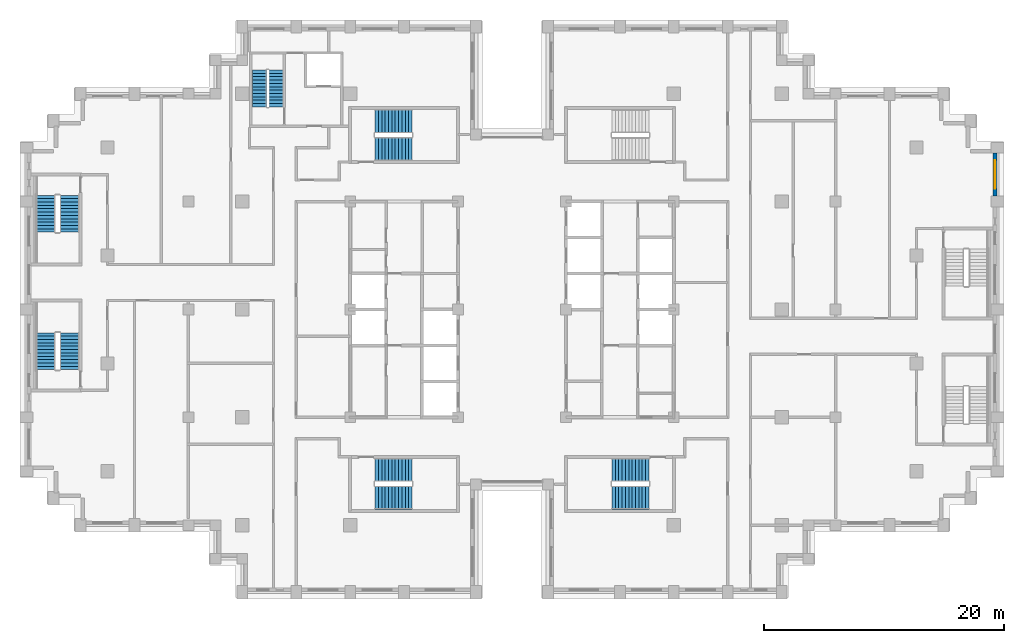
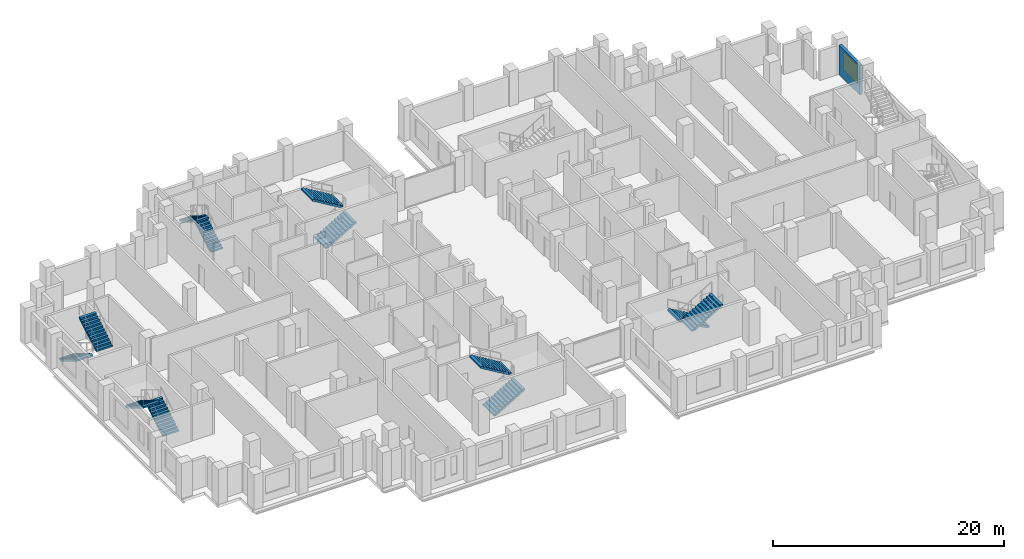
# One storey, part 13 of 16: 12 stair flights, 1 wall, 1 window, 1 opening, 6 elements without a shape of their own.
"""IFC4 building model written with IfcOpenShell, lengths in metres."""

from ifc_helpers import new_model, si_unit, direction, frame, frame_2d, origin, place, context, subcontext, project, spatial, polyline, rectangle, outline, extrude, material, layer, layer_set, type_object, element, fill, aggregate, save


model = new_model("IFC4")

# Units and contexts
model_context = context("Model", 3, precision=1e-05, world=origin(), true_north=direction((0.0, 1.0)))
body_context = subcontext(model_context, "Body", "Model", "MODEL_VIEW")
ifc_project = project(units=[si_unit("LENGTHUNIT", "METRE"), si_unit("AREAUNIT", "SQUARE_METRE"), si_unit("VOLUMEUNIT", "CUBIC_METRE"), si_unit("PLANEANGLEUNIT", "RADIAN"), si_unit("MASSUNIT", "GRAM", prefix="KILO")], contexts=[model_context])

# Site, building, storey
site_placement = place(None, origin())
site = spatial("IfcSite", under=ifc_project, at=site_placement, CompositionType="ELEMENT")
building_placement = place(site_placement, origin())
building = spatial("IfcBuilding", under=site, at=building_placement, Name="Corbelhall Arena Tower", CompositionType="ELEMENT")
storey_placement = place(building_placement, frame((0.0, 0.0, 158.0)))
storey = spatial("IfcBuildingStorey", under=building, at=storey_placement, Name="L31", CompositionType="ELEMENT", Elevation=158.0)

# Wall, opening, window
ifc_material_1 = material(Name="Precast concrete C40/50 with granite facing", Category="masonry")
ifc_layer = layer(ifc_material_1, 0.300048828125)
ifc_layer_set = layer_set([ifc_layer], Name="EV-IW1 Infill panel 300")
wall_type = type_object("IfcWallType", Name="EV-IW1 Infill panel 300", PredefinedType="SOLIDWALL", material=ifc_layer_set)
wall_placement = place(storey_placement, frame((40.300048828125, 9.449951171875, 0.0), z_axis=(0.0, 0.0, 1.0), x_axis=(0.0, 1.0, 0.0)))
wall = element("IfcWall", 1, at=wall_placement, inside=storey, type_object=wall_type, Name="Infill panel IW1", PredefinedType="SOLIDWALL", context=body_context, shape_type="SweptSolid", body=[
    extrude(rectangle(XDim=3.60009765625, YDim=0.300048828125, at=frame_2d((1.800048828125, 0.0))), origin(), (0.0, 0.0, 1.0), 3.10009765625),
])
opening_placement = place(wall_placement, frame((0.60009765625, 0.0, 0.800048828125)))
opening = element("IfcOpeningElement", 2, at=opening_placement, cuts=wall, Name="Opening WN1", PredefinedType="OPENING", context=body_context, shape_type="SweptSolid", body=[
    extrude(rectangle(XDim=2.39990234375, YDim=1.949951171875, at=frame_2d((1.199951171875, 0.97509765625))), frame((0.0, 0.14990234375, 0.0), z_axis=(0.0, -1.0, 0.0), x_axis=(1.0, 0.0, 0.0)), (0.0, 0.0, 1.0), 0.300048828125),
])
ifc_material_2 = material(Name="Aluminium black anodised", Category="aluminium")
window_type = type_object("IfcWindowType", Name="EV-WN1 Office window", PartitioningType="SINGLE_PANEL", PredefinedType="WINDOW", material=ifc_material_2)
window_placement = place(opening_placement, origin())
window = element("IfcWindow", 3, at=window_placement, inside=storey, type_object=window_type, Name="Window WN1", OverallHeight=1.949951171875, OverallWidth=2.39990234375, PartitioningType="SINGLE_PANEL", PredefinedType="WINDOW", context=body_context, shape_type="SweptSolid", body=[
    extrude(rectangle(XDim=2.39990234375, YDim=1.949951171875, at=frame_2d((1.199951171875, 0.97509765625))), frame((0.0, 0.030029296875, 0.0), z_axis=(0.0, -1.0, 0.0), x_axis=(1.0, 0.0, 0.0)), (0.0, 0.0, 1.0), 0.06005859375),
])
fill(opening, window)

# Stair, stair flights
ifc_material_3 = material(Name="Concrete C40/50", Category="concrete")
stair_type = type_object("IfcStairType", Name="IN-ST-TOWER", PredefinedType="HALF_TURN_STAIR", material=ifc_material_3)
stair_1_placement = place(storey_placement, origin())
stair_1 = element("IfcStair", 4, at=stair_1_placement, inside=storey, type_object=stair_type, Name="L31 Exit stair ST1", PredefinedType="HALF_TURN_STAIR")
stair_flight_type = type_object("IfcStairFlightType", Name="IN-SFL-RC", PredefinedType="STRAIGHT", material=ifc_material_3)
stair_flight_1_placement = place(storey_placement, frame((-11.425048828125, 13.39990234375, 0.0), z_axis=(0.0, 0.0, 1.0), x_axis=(1.0, 0.0, 0.0)))
stair_flight_1 = element("IfcStairFlight", 5, at=stair_flight_1_placement, type_object=stair_flight_type, Name="ST1 flight 1", NumberOfRisers=12, NumberOfTreads=11, PredefinedType="STRAIGHT", RiserHeight=0.166666667, TreadLength=0.28, context=body_context, shape_type="SweptSolid", body=[
    extrude(outline(polyline([(0.0, 0.0), (0.0, 0.166748046875), (0.280029296875, 0.166748046875), (0.280029296875, 0.333251953125), (0.56005859375, 0.333251953125), (0.56005859375, 0.5), (0.840087890625, 0.5), (0.840087890625, 0.666748046875), (1.1201171875, 0.666748046875), (1.1201171875, 0.833251953125), (1.39990234375, 0.833251953125), (1.39990234375, 1.0), (1.679931640625, 1.0), (1.679931640625, 1.166748046875), (1.9599609375, 1.166748046875), (1.9599609375, 1.333251953125), (2.239990234375, 1.333251953125), (2.239990234375, 1.5), (2.52001953125, 1.5), (2.52001953125, 1.666748046875), (2.800048828125, 1.666748046875), (2.800048828125, 1.833251953125), (3.080078125, 1.833251953125), (3.080078125, 2.0), (3.080078125, 1.658935546875), (0.29296875, 0.0), (0.0, 0.0)])), frame((0.0, 0.97509765625, 0.0), z_axis=(0.0, -1.0, 0.0), x_axis=(1.0, 0.0, 0.0)), (0.0, 0.0, 1.0), 0.449951171875),
    extrude(outline(polyline([(0.0, 0.0), (0.0, 0.166748046875), (0.280029296875, 0.166748046875), (0.280029296875, 0.333251953125), (0.56005859375, 0.333251953125), (0.56005859375, 0.5), (0.840087890625, 0.5), (0.840087890625, 0.666748046875), (1.1201171875, 0.666748046875), (1.1201171875, 0.833251953125), (1.39990234375, 0.833251953125), (1.39990234375, 1.0), (1.679931640625, 1.0), (1.679931640625, 1.166748046875), (1.9599609375, 1.166748046875), (1.9599609375, 1.333251953125), (2.239990234375, 1.333251953125), (2.239990234375, 1.5), (2.52001953125, 1.5), (2.52001953125, 1.666748046875), (2.800048828125, 1.666748046875), (2.800048828125, 1.833251953125), (3.080078125, 1.833251953125), (3.080078125, 2.0), (3.080078125, 1.658935546875), (0.29296875, 0.0), (0.0, 0.0)])), frame((0.0, 0.52099609375, 0.0), z_axis=(0.0, -1.0, 0.0), x_axis=(1.0, 0.0, 0.0)), (0.0, 0.0, 1.0), 1.0419921875),
    extrude(outline(polyline([(0.0, 0.0), (0.0, 0.166748046875), (0.280029296875, 0.166748046875), (0.280029296875, 0.333251953125), (0.56005859375, 0.333251953125), (0.56005859375, 0.5), (0.840087890625, 0.5), (0.840087890625, 0.666748046875), (1.1201171875, 0.666748046875), (1.1201171875, 0.833251953125), (1.39990234375, 0.833251953125), (1.39990234375, 1.0), (1.679931640625, 1.0), (1.679931640625, 1.166748046875), (1.9599609375, 1.166748046875), (1.9599609375, 1.333251953125), (2.239990234375, 1.333251953125), (2.239990234375, 1.5), (2.52001953125, 1.5), (2.52001953125, 1.666748046875), (2.800048828125, 1.666748046875), (2.800048828125, 1.833251953125), (3.080078125, 1.833251953125), (3.080078125, 2.0), (3.080078125, 1.658935546875), (0.29296875, 0.0), (0.0, 0.0)])), frame((0.0, -0.52490234375, 0.0), z_axis=(0.0, -1.0, 0.0), x_axis=(1.0, 0.0, 0.0)), (0.0, 0.0, 1.0), 0.449951171875),
])
stair_flight_2_placement = place(storey_placement, frame((-8.344970703125, 15.699951171875, 2.0), z_axis=(0.0, 0.0, 1.0), x_axis=(-1.0, 0.0, 0.0)))
stair_flight_2 = element("IfcStairFlight", 6, at=stair_flight_2_placement, type_object=stair_flight_type, Name="ST1 flight 2", NumberOfRisers=12, NumberOfTreads=11, PredefinedType="STRAIGHT", RiserHeight=0.166666667, TreadLength=0.28, context=body_context, shape_type="SweptSolid", body=[
    extrude(outline(polyline([(0.0, 0.0), (0.0, 0.166748046875), (0.280029296875, 0.166748046875), (0.280029296875, 0.333251953125), (0.56005859375, 0.333251953125), (0.56005859375, 0.5), (0.840087890625, 0.5), (0.840087890625, 0.666748046875), (1.1201171875, 0.666748046875), (1.1201171875, 0.833251953125), (1.39990234375, 0.833251953125), (1.39990234375, 1.0), (1.679931640625, 1.0), (1.679931640625, 1.166748046875), (1.9599609375, 1.166748046875), (1.9599609375, 1.333251953125), (2.239990234375, 1.333251953125), (2.239990234375, 1.5), (2.52001953125, 1.5), (2.52001953125, 1.666748046875), (2.800048828125, 1.666748046875), (2.800048828125, 1.833251953125), (3.080078125, 1.833251953125), (3.080078125, 2.0), (3.080078125, 1.658935546875), (0.29296875, 0.0), (0.0, 0.0)])), frame((0.0, 0.97509765625, 0.0), z_axis=(0.0, -1.0, 0.0), x_axis=(1.0, 0.0, 0.0)), (0.0, 0.0, 1.0), 0.449951171875),
    extrude(outline(polyline([(0.0, 0.0), (0.0, 0.166748046875), (0.280029296875, 0.166748046875), (0.280029296875, 0.333251953125), (0.56005859375, 0.333251953125), (0.56005859375, 0.5), (0.840087890625, 0.5), (0.840087890625, 0.666748046875), (1.1201171875, 0.666748046875), (1.1201171875, 0.833251953125), (1.39990234375, 0.833251953125), (1.39990234375, 1.0), (1.679931640625, 1.0), (1.679931640625, 1.166748046875), (1.9599609375, 1.166748046875), (1.9599609375, 1.333251953125), (2.239990234375, 1.333251953125), (2.239990234375, 1.5), (2.52001953125, 1.5), (2.52001953125, 1.666748046875), (2.800048828125, 1.666748046875), (2.800048828125, 1.833251953125), (3.080078125, 1.833251953125), (3.080078125, 2.0), (3.080078125, 1.658935546875), (0.29296875, 0.0), (0.0, 0.0)])), frame((0.0, 0.52099609375, 0.0), z_axis=(0.0, -1.0, 0.0), x_axis=(1.0, 0.0, 0.0)), (0.0, 0.0, 1.0), 1.0419921875),
    extrude(outline(polyline([(0.0, 0.0), (0.0, 0.166748046875), (0.280029296875, 0.166748046875), (0.280029296875, 0.333251953125), (0.56005859375, 0.333251953125), (0.56005859375, 0.5), (0.840087890625, 0.5), (0.840087890625, 0.666748046875), (1.1201171875, 0.666748046875), (1.1201171875, 0.833251953125), (1.39990234375, 0.833251953125), (1.39990234375, 1.0), (1.679931640625, 1.0), (1.679931640625, 1.166748046875), (1.9599609375, 1.166748046875), (1.9599609375, 1.333251953125), (2.239990234375, 1.333251953125), (2.239990234375, 1.5), (2.52001953125, 1.5), (2.52001953125, 1.666748046875), (2.800048828125, 1.666748046875), (2.800048828125, 1.833251953125), (3.080078125, 1.833251953125), (3.080078125, 2.0), (3.080078125, 1.658935546875), (0.29296875, 0.0), (0.0, 0.0)])), frame((0.0, -0.52490234375, 0.0), z_axis=(0.0, -1.0, 0.0), x_axis=(1.0, 0.0, 0.0)), (0.0, 0.0, 1.0), 0.449951171875),
])
aggregate(stair_1, [stair_flight_1, stair_flight_2])

stair_2_placement = place(storey_placement, origin())
stair_2 = element("IfcStair", 7, at=stair_2_placement, inside=storey, type_object=stair_type, Name="L31 Exit stair ST2", PredefinedType="HALF_TURN_STAIR")
stair_flight_3_placement = place(storey_placement, frame((-11.425048828125, -15.699951171875, 0.0), z_axis=(0.0, 0.0, 1.0), x_axis=(1.0, 0.0, 0.0)))
stair_flight_3 = element("IfcStairFlight", 8, at=stair_flight_3_placement, type_object=stair_flight_type, Name="ST2 flight 1", NumberOfRisers=12, NumberOfTreads=11, PredefinedType="STRAIGHT", RiserHeight=0.166666667, TreadLength=0.28, context=body_context, shape_type="SweptSolid", body=[
    extrude(outline(polyline([(0.0, 0.0), (0.0, 0.166748046875), (0.280029296875, 0.166748046875), (0.280029296875, 0.333251953125), (0.56005859375, 0.333251953125), (0.56005859375, 0.5), (0.840087890625, 0.5), (0.840087890625, 0.666748046875), (1.1201171875, 0.666748046875), (1.1201171875, 0.833251953125), (1.39990234375, 0.833251953125), (1.39990234375, 1.0), (1.679931640625, 1.0), (1.679931640625, 1.166748046875), (1.9599609375, 1.166748046875), (1.9599609375, 1.333251953125), (2.239990234375, 1.333251953125), (2.239990234375, 1.5), (2.52001953125, 1.5), (2.52001953125, 1.666748046875), (2.800048828125, 1.666748046875), (2.800048828125, 1.833251953125), (3.080078125, 1.833251953125), (3.080078125, 2.0), (3.080078125, 1.658935546875), (0.29296875, 0.0), (0.0, 0.0)])), frame((0.0, 0.97509765625, 0.0), z_axis=(0.0, -1.0, 0.0), x_axis=(1.0, 0.0, 0.0)), (0.0, 0.0, 1.0), 0.449951171875),
    extrude(outline(polyline([(0.0, 0.0), (0.0, 0.166748046875), (0.280029296875, 0.166748046875), (0.280029296875, 0.333251953125), (0.56005859375, 0.333251953125), (0.56005859375, 0.5), (0.840087890625, 0.5), (0.840087890625, 0.666748046875), (1.1201171875, 0.666748046875), (1.1201171875, 0.833251953125), (1.39990234375, 0.833251953125), (1.39990234375, 1.0), (1.679931640625, 1.0), (1.679931640625, 1.166748046875), (1.9599609375, 1.166748046875), (1.9599609375, 1.333251953125), (2.239990234375, 1.333251953125), (2.239990234375, 1.5), (2.52001953125, 1.5), (2.52001953125, 1.666748046875), (2.800048828125, 1.666748046875), (2.800048828125, 1.833251953125), (3.080078125, 1.833251953125), (3.080078125, 2.0), (3.080078125, 1.658935546875), (0.29296875, 0.0), (0.0, 0.0)])), frame((0.0, 0.52099609375, 0.0), z_axis=(0.0, -1.0, 0.0), x_axis=(1.0, 0.0, 0.0)), (0.0, 0.0, 1.0), 1.0419921875),
    extrude(outline(polyline([(0.0, 0.0), (0.0, 0.166748046875), (0.280029296875, 0.166748046875), (0.280029296875, 0.333251953125), (0.56005859375, 0.333251953125), (0.56005859375, 0.5), (0.840087890625, 0.5), (0.840087890625, 0.666748046875), (1.1201171875, 0.666748046875), (1.1201171875, 0.833251953125), (1.39990234375, 0.833251953125), (1.39990234375, 1.0), (1.679931640625, 1.0), (1.679931640625, 1.166748046875), (1.9599609375, 1.166748046875), (1.9599609375, 1.333251953125), (2.239990234375, 1.333251953125), (2.239990234375, 1.5), (2.52001953125, 1.5), (2.52001953125, 1.666748046875), (2.800048828125, 1.666748046875), (2.800048828125, 1.833251953125), (3.080078125, 1.833251953125), (3.080078125, 2.0), (3.080078125, 1.658935546875), (0.29296875, 0.0), (0.0, 0.0)])), frame((0.0, -0.52490234375, 0.0), z_axis=(0.0, -1.0, 0.0), x_axis=(1.0, 0.0, 0.0)), (0.0, 0.0, 1.0), 0.449951171875),
])
stair_flight_4_placement = place(storey_placement, frame((-8.344970703125, -13.39990234375, 2.0), z_axis=(0.0, 0.0, 1.0), x_axis=(-1.0, 0.0, 0.0)))
stair_flight_4 = element("IfcStairFlight", 9, at=stair_flight_4_placement, type_object=stair_flight_type, Name="ST2 flight 2", NumberOfRisers=12, NumberOfTreads=11, PredefinedType="STRAIGHT", RiserHeight=0.166666667, TreadLength=0.28, context=body_context, shape_type="SweptSolid", body=[
    extrude(outline(polyline([(0.0, 0.0), (0.0, 0.166748046875), (0.280029296875, 0.166748046875), (0.280029296875, 0.333251953125), (0.56005859375, 0.333251953125), (0.56005859375, 0.5), (0.840087890625, 0.5), (0.840087890625, 0.666748046875), (1.1201171875, 0.666748046875), (1.1201171875, 0.833251953125), (1.39990234375, 0.833251953125), (1.39990234375, 1.0), (1.679931640625, 1.0), (1.679931640625, 1.166748046875), (1.9599609375, 1.166748046875), (1.9599609375, 1.333251953125), (2.239990234375, 1.333251953125), (2.239990234375, 1.5), (2.52001953125, 1.5), (2.52001953125, 1.666748046875), (2.800048828125, 1.666748046875), (2.800048828125, 1.833251953125), (3.080078125, 1.833251953125), (3.080078125, 2.0), (3.080078125, 1.658935546875), (0.29296875, 0.0), (0.0, 0.0)])), frame((0.0, 0.97509765625, 0.0), z_axis=(0.0, -1.0, 0.0), x_axis=(1.0, 0.0, 0.0)), (0.0, 0.0, 1.0), 0.449951171875),
    extrude(outline(polyline([(0.0, 0.0), (0.0, 0.166748046875), (0.280029296875, 0.166748046875), (0.280029296875, 0.333251953125), (0.56005859375, 0.333251953125), (0.56005859375, 0.5), (0.840087890625, 0.5), (0.840087890625, 0.666748046875), (1.1201171875, 0.666748046875), (1.1201171875, 0.833251953125), (1.39990234375, 0.833251953125), (1.39990234375, 1.0), (1.679931640625, 1.0), (1.679931640625, 1.166748046875), (1.9599609375, 1.166748046875), (1.9599609375, 1.333251953125), (2.239990234375, 1.333251953125), (2.239990234375, 1.5), (2.52001953125, 1.5), (2.52001953125, 1.666748046875), (2.800048828125, 1.666748046875), (2.800048828125, 1.833251953125), (3.080078125, 1.833251953125), (3.080078125, 2.0), (3.080078125, 1.658935546875), (0.29296875, 0.0), (0.0, 0.0)])), frame((0.0, 0.52099609375, 0.0), z_axis=(0.0, -1.0, 0.0), x_axis=(1.0, 0.0, 0.0)), (0.0, 0.0, 1.0), 1.0419921875),
    extrude(outline(polyline([(0.0, 0.0), (0.0, 0.166748046875), (0.280029296875, 0.166748046875), (0.280029296875, 0.333251953125), (0.56005859375, 0.333251953125), (0.56005859375, 0.5), (0.840087890625, 0.5), (0.840087890625, 0.666748046875), (1.1201171875, 0.666748046875), (1.1201171875, 0.833251953125), (1.39990234375, 0.833251953125), (1.39990234375, 1.0), (1.679931640625, 1.0), (1.679931640625, 1.166748046875), (1.9599609375, 1.166748046875), (1.9599609375, 1.333251953125), (2.239990234375, 1.333251953125), (2.239990234375, 1.5), (2.52001953125, 1.5), (2.52001953125, 1.666748046875), (2.800048828125, 1.666748046875), (2.800048828125, 1.833251953125), (3.080078125, 1.833251953125), (3.080078125, 2.0), (3.080078125, 1.658935546875), (0.29296875, 0.0), (0.0, 0.0)])), frame((0.0, -0.52490234375, 0.0), z_axis=(0.0, -1.0, 0.0), x_axis=(1.0, 0.0, 0.0)), (0.0, 0.0, 1.0), 0.449951171875),
])
aggregate(stair_2, [stair_flight_3, stair_flight_4])

stair_3_placement = place(storey_placement, origin())
stair_3 = element("IfcStair", 10, at=stair_3_placement, inside=storey, type_object=stair_type, Name="L31 Exit stair ST4", PredefinedType="HALF_TURN_STAIR")
stair_flight_5_placement = place(storey_placement, frame((11.425048828125, -13.39990234375, 0.0), z_axis=(0.0, 0.0, 1.0), x_axis=(-1.0, 0.0, 0.0)))
stair_flight_5 = element("IfcStairFlight", 11, at=stair_flight_5_placement, type_object=stair_flight_type, Name="ST4 flight 1", NumberOfRisers=12, NumberOfTreads=11, PredefinedType="STRAIGHT", RiserHeight=0.166666667, TreadLength=0.28, context=body_context, shape_type="SweptSolid", body=[
    extrude(outline(polyline([(0.0, 0.0), (0.0, 0.166748046875), (0.280029296875, 0.166748046875), (0.280029296875, 0.333251953125), (0.56005859375, 0.333251953125), (0.56005859375, 0.5), (0.840087890625, 0.5), (0.840087890625, 0.666748046875), (1.1201171875, 0.666748046875), (1.1201171875, 0.833251953125), (1.39990234375, 0.833251953125), (1.39990234375, 1.0), (1.679931640625, 1.0), (1.679931640625, 1.166748046875), (1.9599609375, 1.166748046875), (1.9599609375, 1.333251953125), (2.239990234375, 1.333251953125), (2.239990234375, 1.5), (2.52001953125, 1.5), (2.52001953125, 1.666748046875), (2.800048828125, 1.666748046875), (2.800048828125, 1.833251953125), (3.080078125, 1.833251953125), (3.080078125, 2.0), (3.080078125, 1.658935546875), (0.29296875, 0.0), (0.0, 0.0)])), frame((0.0, 0.97509765625, 0.0), z_axis=(0.0, -1.0, 0.0), x_axis=(1.0, 0.0, 0.0)), (0.0, 0.0, 1.0), 0.449951171875),
    extrude(outline(polyline([(0.0, 0.0), (0.0, 0.166748046875), (0.280029296875, 0.166748046875), (0.280029296875, 0.333251953125), (0.56005859375, 0.333251953125), (0.56005859375, 0.5), (0.840087890625, 0.5), (0.840087890625, 0.666748046875), (1.1201171875, 0.666748046875), (1.1201171875, 0.833251953125), (1.39990234375, 0.833251953125), (1.39990234375, 1.0), (1.679931640625, 1.0), (1.679931640625, 1.166748046875), (1.9599609375, 1.166748046875), (1.9599609375, 1.333251953125), (2.239990234375, 1.333251953125), (2.239990234375, 1.5), (2.52001953125, 1.5), (2.52001953125, 1.666748046875), (2.800048828125, 1.666748046875), (2.800048828125, 1.833251953125), (3.080078125, 1.833251953125), (3.080078125, 2.0), (3.080078125, 1.658935546875), (0.29296875, 0.0), (0.0, 0.0)])), frame((0.0, 0.52099609375, 0.0), z_axis=(0.0, -1.0, 0.0), x_axis=(1.0, 0.0, 0.0)), (0.0, 0.0, 1.0), 1.0419921875),
    extrude(outline(polyline([(0.0, 0.0), (0.0, 0.166748046875), (0.280029296875, 0.166748046875), (0.280029296875, 0.333251953125), (0.56005859375, 0.333251953125), (0.56005859375, 0.5), (0.840087890625, 0.5), (0.840087890625, 0.666748046875), (1.1201171875, 0.666748046875), (1.1201171875, 0.833251953125), (1.39990234375, 0.833251953125), (1.39990234375, 1.0), (1.679931640625, 1.0), (1.679931640625, 1.166748046875), (1.9599609375, 1.166748046875), (1.9599609375, 1.333251953125), (2.239990234375, 1.333251953125), (2.239990234375, 1.5), (2.52001953125, 1.5), (2.52001953125, 1.666748046875), (2.800048828125, 1.666748046875), (2.800048828125, 1.833251953125), (3.080078125, 1.833251953125), (3.080078125, 2.0), (3.080078125, 1.658935546875), (0.29296875, 0.0), (0.0, 0.0)])), frame((0.0, -0.52490234375, 0.0), z_axis=(0.0, -1.0, 0.0), x_axis=(1.0, 0.0, 0.0)), (0.0, 0.0, 1.0), 0.449951171875),
])
stair_flight_6_placement = place(storey_placement, frame((8.344970703125, -15.699951171875, 2.0), z_axis=(0.0, 0.0, 1.0), x_axis=(1.0, 0.0, 0.0)))
stair_flight_6 = element("IfcStairFlight", 12, at=stair_flight_6_placement, type_object=stair_flight_type, Name="ST4 flight 2", NumberOfRisers=12, NumberOfTreads=11, PredefinedType="STRAIGHT", RiserHeight=0.166666667, TreadLength=0.28, context=body_context, shape_type="SweptSolid", body=[
    extrude(outline(polyline([(0.0, 0.0), (0.0, 0.166748046875), (0.280029296875, 0.166748046875), (0.280029296875, 0.333251953125), (0.56005859375, 0.333251953125), (0.56005859375, 0.5), (0.840087890625, 0.5), (0.840087890625, 0.666748046875), (1.1201171875, 0.666748046875), (1.1201171875, 0.833251953125), (1.39990234375, 0.833251953125), (1.39990234375, 1.0), (1.679931640625, 1.0), (1.679931640625, 1.166748046875), (1.9599609375, 1.166748046875), (1.9599609375, 1.333251953125), (2.239990234375, 1.333251953125), (2.239990234375, 1.5), (2.52001953125, 1.5), (2.52001953125, 1.666748046875), (2.800048828125, 1.666748046875), (2.800048828125, 1.833251953125), (3.080078125, 1.833251953125), (3.080078125, 2.0), (3.080078125, 1.658935546875), (0.29296875, 0.0), (0.0, 0.0)])), frame((0.0, 0.97509765625, 0.0), z_axis=(0.0, -1.0, 0.0), x_axis=(1.0, 0.0, 0.0)), (0.0, 0.0, 1.0), 0.449951171875),
    extrude(outline(polyline([(0.0, 0.0), (0.0, 0.166748046875), (0.280029296875, 0.166748046875), (0.280029296875, 0.333251953125), (0.56005859375, 0.333251953125), (0.56005859375, 0.5), (0.840087890625, 0.5), (0.840087890625, 0.666748046875), (1.1201171875, 0.666748046875), (1.1201171875, 0.833251953125), (1.39990234375, 0.833251953125), (1.39990234375, 1.0), (1.679931640625, 1.0), (1.679931640625, 1.166748046875), (1.9599609375, 1.166748046875), (1.9599609375, 1.333251953125), (2.239990234375, 1.333251953125), (2.239990234375, 1.5), (2.52001953125, 1.5), (2.52001953125, 1.666748046875), (2.800048828125, 1.666748046875), (2.800048828125, 1.833251953125), (3.080078125, 1.833251953125), (3.080078125, 2.0), (3.080078125, 1.658935546875), (0.29296875, 0.0), (0.0, 0.0)])), frame((0.0, 0.52099609375, 0.0), z_axis=(0.0, -1.0, 0.0), x_axis=(1.0, 0.0, 0.0)), (0.0, 0.0, 1.0), 1.0419921875),
    extrude(outline(polyline([(0.0, 0.0), (0.0, 0.166748046875), (0.280029296875, 0.166748046875), (0.280029296875, 0.333251953125), (0.56005859375, 0.333251953125), (0.56005859375, 0.5), (0.840087890625, 0.5), (0.840087890625, 0.666748046875), (1.1201171875, 0.666748046875), (1.1201171875, 0.833251953125), (1.39990234375, 0.833251953125), (1.39990234375, 1.0), (1.679931640625, 1.0), (1.679931640625, 1.166748046875), (1.9599609375, 1.166748046875), (1.9599609375, 1.333251953125), (2.239990234375, 1.333251953125), (2.239990234375, 1.5), (2.52001953125, 1.5), (2.52001953125, 1.666748046875), (2.800048828125, 1.666748046875), (2.800048828125, 1.833251953125), (3.080078125, 1.833251953125), (3.080078125, 2.0), (3.080078125, 1.658935546875), (0.29296875, 0.0), (0.0, 0.0)])), frame((0.0, -0.52490234375, 0.0), z_axis=(0.0, -1.0, 0.0), x_axis=(1.0, 0.0, 0.0)), (0.0, 0.0, 1.0), 0.449951171875),
])
aggregate(stair_3, [stair_flight_5, stair_flight_6])

stair_4_placement = place(storey_placement, origin())
stair_4 = element("IfcStair", 13, at=stair_4_placement, inside=storey, type_object=stair_type, Name="L31 Exit stair SC1", PredefinedType="HALF_TURN_STAIR")
stair_flight_7_placement = place(storey_placement, frame((-38.89990234375, 9.52490234375, 0.0), z_axis=(0.0, 0.0, 1.0), x_axis=(0.0, -1.0, 0.0)))
stair_flight_7 = element("IfcStairFlight", 14, at=stair_flight_7_placement, type_object=stair_flight_type, Name="SC1 flight 1", NumberOfRisers=12, NumberOfTreads=11, PredefinedType="STRAIGHT", RiserHeight=0.166666667, TreadLength=0.28, context=body_context, shape_type="SweptSolid", body=[
    extrude(outline(polyline([(0.0, 0.0), (0.0, 0.166748046875), (0.280029296875, 0.166748046875), (0.280029296875, 0.333251953125), (0.56005859375, 0.333251953125), (0.56005859375, 0.5), (0.840087890625, 0.5), (0.840087890625, 0.666748046875), (1.1201171875, 0.666748046875), (1.1201171875, 0.833251953125), (1.39990234375, 0.833251953125), (1.39990234375, 1.0), (1.679931640625, 1.0), (1.679931640625, 1.166748046875), (1.9599609375, 1.166748046875), (1.9599609375, 1.333251953125), (2.239990234375, 1.333251953125), (2.239990234375, 1.5), (2.52001953125, 1.5), (2.52001953125, 1.666748046875), (2.800048828125, 1.666748046875), (2.800048828125, 1.833251953125), (3.080078125, 1.833251953125), (3.080078125, 2.0), (3.080078125, 1.658935546875), (0.29296875, 0.0), (0.0, 0.0)])), frame((0.0, 0.800048828125, 0.0), z_axis=(0.0, -1.0, 0.0), x_axis=(1.0, 0.0, 0.0)), (0.0, 0.0, 1.0), 1.60009765625),
])
stair_flight_8_placement = place(storey_placement, frame((-36.925048828125, 6.445068359375, 2.0), z_axis=(0.0, 0.0, 1.0), x_axis=(0.0, 1.0, 0.0)))
stair_flight_8 = element("IfcStairFlight", 15, at=stair_flight_8_placement, type_object=stair_flight_type, Name="SC1 flight 2", NumberOfRisers=12, NumberOfTreads=11, PredefinedType="STRAIGHT", RiserHeight=0.166666667, TreadLength=0.28, context=body_context, shape_type="SweptSolid", body=[
    extrude(outline(polyline([(0.0, 0.0), (0.0, 0.166748046875), (0.280029296875, 0.166748046875), (0.280029296875, 0.333251953125), (0.56005859375, 0.333251953125), (0.56005859375, 0.5), (0.840087890625, 0.5), (0.840087890625, 0.666748046875), (1.1201171875, 0.666748046875), (1.1201171875, 0.833251953125), (1.39990234375, 0.833251953125), (1.39990234375, 1.0), (1.679931640625, 1.0), (1.679931640625, 1.166748046875), (1.9599609375, 1.166748046875), (1.9599609375, 1.333251953125), (2.239990234375, 1.333251953125), (2.239990234375, 1.5), (2.52001953125, 1.5), (2.52001953125, 1.666748046875), (2.800048828125, 1.666748046875), (2.800048828125, 1.833251953125), (3.080078125, 1.833251953125), (3.080078125, 2.0), (3.080078125, 1.658935546875), (0.29296875, 0.0), (0.0, 0.0)])), frame((0.0, 0.800048828125, 0.0), z_axis=(0.0, -1.0, 0.0), x_axis=(1.0, 0.0, 0.0)), (0.0, 0.0, 1.0), 1.60009765625),
])
aggregate(stair_4, [stair_flight_7, stair_flight_8])

stair_5_placement = place(storey_placement, origin())
stair_5 = element("IfcStair", 16, at=stair_5_placement, inside=storey, type_object=stair_type, Name="L31 Exit stair SC2", PredefinedType="HALF_TURN_STAIR")
stair_flight_9_placement = place(storey_placement, frame((-36.925048828125, -5.02490234375, 0.0), z_axis=(0.0, 0.0, 1.0), x_axis=(0.0, 1.0, 0.0)))
stair_flight_9 = element("IfcStairFlight", 17, at=stair_flight_9_placement, type_object=stair_flight_type, Name="SC2 flight 1", NumberOfRisers=12, NumberOfTreads=11, PredefinedType="STRAIGHT", RiserHeight=0.166666667, TreadLength=0.28, context=body_context, shape_type="SweptSolid", body=[
    extrude(outline(polyline([(0.0, 0.0), (0.0, 0.166748046875), (0.280029296875, 0.166748046875), (0.280029296875, 0.333251953125), (0.56005859375, 0.333251953125), (0.56005859375, 0.5), (0.840087890625, 0.5), (0.840087890625, 0.666748046875), (1.1201171875, 0.666748046875), (1.1201171875, 0.833251953125), (1.39990234375, 0.833251953125), (1.39990234375, 1.0), (1.679931640625, 1.0), (1.679931640625, 1.166748046875), (1.9599609375, 1.166748046875), (1.9599609375, 1.333251953125), (2.239990234375, 1.333251953125), (2.239990234375, 1.5), (2.52001953125, 1.5), (2.52001953125, 1.666748046875), (2.800048828125, 1.666748046875), (2.800048828125, 1.833251953125), (3.080078125, 1.833251953125), (3.080078125, 2.0), (3.080078125, 1.658935546875), (0.29296875, 0.0), (0.0, 0.0)])), frame((0.0, 0.800048828125, 0.0), z_axis=(0.0, -1.0, 0.0), x_axis=(1.0, 0.0, 0.0)), (0.0, 0.0, 1.0), 1.60009765625),
])
stair_flight_10_placement = place(storey_placement, frame((-38.89990234375, -1.945068359375, 2.0), z_axis=(0.0, 0.0, 1.0), x_axis=(0.0, -1.0, 0.0)))
stair_flight_10 = element("IfcStairFlight", 18, at=stair_flight_10_placement, type_object=stair_flight_type, Name="SC2 flight 2", NumberOfRisers=12, NumberOfTreads=11, PredefinedType="STRAIGHT", RiserHeight=0.166666667, TreadLength=0.28, context=body_context, shape_type="SweptSolid", body=[
    extrude(outline(polyline([(0.0, 0.0), (0.0, 0.166748046875), (0.280029296875, 0.166748046875), (0.280029296875, 0.333251953125), (0.56005859375, 0.333251953125), (0.56005859375, 0.5), (0.840087890625, 0.5), (0.840087890625, 0.666748046875), (1.1201171875, 0.666748046875), (1.1201171875, 0.833251953125), (1.39990234375, 0.833251953125), (1.39990234375, 1.0), (1.679931640625, 1.0), (1.679931640625, 1.166748046875), (1.9599609375, 1.166748046875), (1.9599609375, 1.333251953125), (2.239990234375, 1.333251953125), (2.239990234375, 1.5), (2.52001953125, 1.5), (2.52001953125, 1.666748046875), (2.800048828125, 1.666748046875), (2.800048828125, 1.833251953125), (3.080078125, 1.833251953125), (3.080078125, 2.0), (3.080078125, 1.658935546875), (0.29296875, 0.0), (0.0, 0.0)])), frame((0.0, 0.800048828125, 0.0), z_axis=(0.0, -1.0, 0.0), x_axis=(1.0, 0.0, 0.0)), (0.0, 0.0, 1.0), 1.60009765625),
])
aggregate(stair_5, [stair_flight_9, stair_flight_10])

stair_6_placement = place(storey_placement, origin())
stair_6 = element("IfcStair", 19, at=stair_6_placement, inside=storey, type_object=stair_type, Name="L31 Exit stair ST5", PredefinedType="HALF_TURN_STAIR")
stair_flight_11_placement = place(storey_placement, frame((-19.695068359375, 16.89990234375, 0.0), z_axis=(0.0, 0.0, 1.0), x_axis=(0.0, 1.0, 0.0)))
stair_flight_11 = element("IfcStairFlight", 20, at=stair_flight_11_placement, type_object=stair_flight_type, Name="ST5 flight 1", NumberOfRisers=12, NumberOfTreads=11, PredefinedType="STRAIGHT", RiserHeight=0.166666667, TreadLength=0.28, context=body_context, shape_type="SweptSolid", body=[
    extrude(outline(polyline([(0.0, 0.0), (0.0, 0.166748046875), (0.280029296875, 0.166748046875), (0.280029296875, 0.333251953125), (0.56005859375, 0.333251953125), (0.56005859375, 0.5), (0.840087890625, 0.5), (0.840087890625, 0.666748046875), (1.1201171875, 0.666748046875), (1.1201171875, 0.833251953125), (1.39990234375, 0.833251953125), (1.39990234375, 1.0), (1.679931640625, 1.0), (1.679931640625, 1.166748046875), (1.9599609375, 1.166748046875), (1.9599609375, 1.333251953125), (2.239990234375, 1.333251953125), (2.239990234375, 1.5), (2.52001953125, 1.5), (2.52001953125, 1.666748046875), (2.800048828125, 1.666748046875), (2.800048828125, 1.833251953125), (3.080078125, 1.833251953125), (3.080078125, 2.0), (3.080078125, 1.658935546875), (0.29296875, 0.0), (0.0, 0.0)])), frame((0.0, 0.60009765625, 0.0), z_axis=(0.0, -1.0, 0.0), x_axis=(1.0, 0.0, 0.0)), (0.0, 0.0, 1.0), 1.199951171875),
])
stair_flight_12_placement = place(storey_placement, frame((-21.094970703125, 19.97998046875, 2.0), z_axis=(0.0, 0.0, 1.0), x_axis=(0.0, -1.0, 0.0)))
stair_flight_12 = element("IfcStairFlight", 21, at=stair_flight_12_placement, type_object=stair_flight_type, Name="ST5 flight 2", NumberOfRisers=12, NumberOfTreads=11, PredefinedType="STRAIGHT", RiserHeight=0.166666667, TreadLength=0.28, context=body_context, shape_type="SweptSolid", body=[
    extrude(outline(polyline([(0.0, 0.0), (0.0, 0.166748046875), (0.280029296875, 0.166748046875), (0.280029296875, 0.333251953125), (0.56005859375, 0.333251953125), (0.56005859375, 0.5), (0.840087890625, 0.5), (0.840087890625, 0.666748046875), (1.1201171875, 0.666748046875), (1.1201171875, 0.833251953125), (1.39990234375, 0.833251953125), (1.39990234375, 1.0), (1.679931640625, 1.0), (1.679931640625, 1.166748046875), (1.9599609375, 1.166748046875), (1.9599609375, 1.333251953125), (2.239990234375, 1.333251953125), (2.239990234375, 1.5), (2.52001953125, 1.5), (2.52001953125, 1.666748046875), (2.800048828125, 1.666748046875), (2.800048828125, 1.833251953125), (3.080078125, 1.833251953125), (3.080078125, 2.0), (3.080078125, 1.658935546875), (0.29296875, 0.0), (0.0, 0.0)])), frame((0.0, 0.60009765625, 0.0), z_axis=(0.0, -1.0, 0.0), x_axis=(1.0, 0.0, 0.0)), (0.0, 0.0, 1.0), 1.199951171875),
])
aggregate(stair_6, [stair_flight_11, stair_flight_12])

save(model, "model.ifc")
